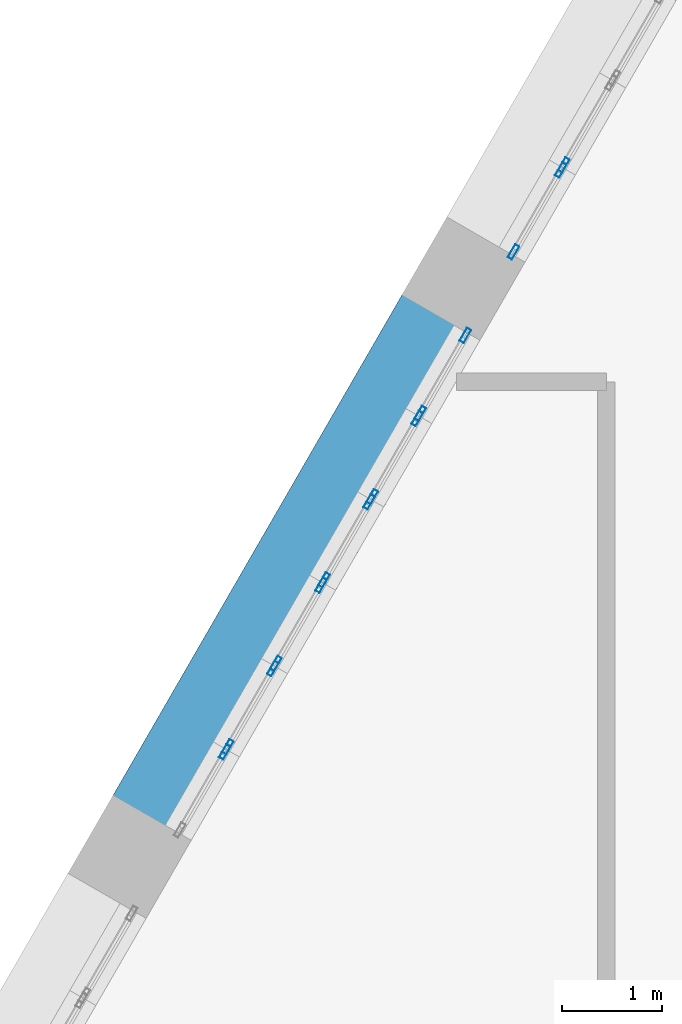
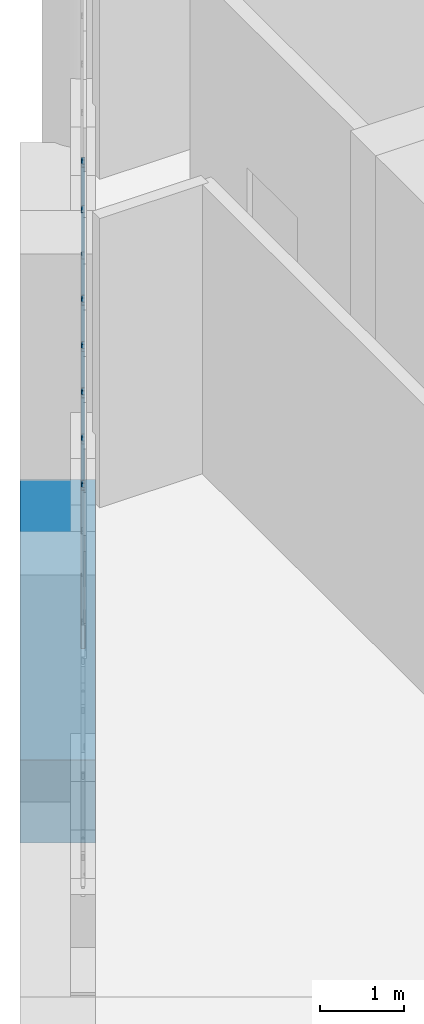
# One storey, part 6 of 23: 14 members, 1 beam, 8 elements without a shape of their own.
"""IFC4 building model written with IfcOpenShell, lengths in metres."""

from ifc_helpers import new_model, si_unit, direction, frame, origin, origin_2d, place, context, subcontext, project, spatial, rectangle, hollow_rectangle, extrude, material, material_profile, profile_set, type_object, element, aggregate, save


model = new_model("IFC4")

# Units and contexts
model_context = context("Model", 3, precision=1e-05, world=origin(), true_north=direction((0.0, 1.0)))
body_context = subcontext(model_context, "Body", "Model", "MODEL_VIEW")
ifc_project = project(units=[si_unit("LENGTHUNIT", "METRE"), si_unit("AREAUNIT", "SQUARE_METRE"), si_unit("VOLUMEUNIT", "CUBIC_METRE"), si_unit("PLANEANGLEUNIT", "RADIAN"), si_unit("MASSUNIT", "GRAM", prefix="KILO")], contexts=[model_context])

# Site, building, storey
site_placement = place(None, origin())
site = spatial("IfcSite", under=ifc_project, at=site_placement, CompositionType="ELEMENT")
building_placement = place(site_placement, origin())
building = spatial("IfcBuilding", under=site, at=building_placement, Name="Ostrander Bayou Hotel Tower", CompositionType="ELEMENT")
storey_placement = place(building_placement, frame((0.0, 0.0, 279.5)))
storey = spatial("IfcBuildingStorey", under=building, at=storey_placement, Name="L69", CompositionType="ELEMENT", Elevation=279.5)

# Curtain wall, member
ifc_material_1 = material(Name="Aluminium and clear glass", Category="aluminium")
curtain_wall_type = type_object("IfcCurtainWallType", Name="CW-CROWN glazed wall", PredefinedType="NOTDEFINED", material=ifc_material_1)
curtain_wall_1_placement = place(storey_placement, origin())
curtain_wall_1 = element("IfcCurtainWall", 1, at=curtain_wall_1_placement, inside=storey, type_object=curtain_wall_type, Name="CW-CROWN L69:NW-1-5", PredefinedType="NOTDEFINED")
ifc_material_2 = material(Name="Aluminium", Category="aluminium")
ifc_material_profile_1 = material_profile(ifc_material_2, hollow_rectangle(XDim=0.050048828125, YDim=0.14990234375, WallThickness=0.00390625, at=origin_2d()))
ifc_profile_set_1 = profile_set([ifc_material_profile_1], Name="Aluminium")
member_type = type_object("IfcMemberType", Name="CW-CR mullion 50 x 150 mm", PredefinedType="MULLION", material=ifc_profile_set_1)
member_1_placement = place(storey_placement, frame((-10.9248046875, 11.864501953125, 1.0), z_axis=(0.0, 0.0, 1.0), x_axis=(0.866001306597, -0.50004173523, 0.0)))
member_1 = element("IfcMember", 2, at=member_1_placement, type_object=member_type, Name="CW-CROWN mullion 2", PredefinedType="MULLION", context=body_context, shape_type="SweptSolid", body=[
    extrude(hollow_rectangle(XDim=0.050048828125, YDim=0.14990234375, WallThickness=0.00390625, at=origin_2d()), origin(), (0.0, 0.0, 1.0), 2.300048828125),
])
aggregate(curtain_wall_1, [member_1])

# Curtain wall, members
curtain_wall_2_placement = place(storey_placement, origin())
curtain_wall_2 = element("IfcCurtainWall", 3, at=curtain_wall_2_placement, inside=storey, type_object=curtain_wall_type, Name="CW-CROWN L69:NW-1-6", PredefinedType="NOTDEFINED")
member_2_placement = place(storey_placement, frame((-10.954833984375, 11.8125, 1.0), z_axis=(0.0, 0.0, 1.0), x_axis=(0.866026229865, -0.499998569184, 0.0)))
member_2 = element("IfcMember", 4, at=member_2_placement, type_object=member_type, Name="CW-CROWN mullion 1", PredefinedType="MULLION", context=body_context, shape_type="SweptSolid", body=[
    extrude(hollow_rectangle(XDim=0.050048828125, YDim=0.14990234375, WallThickness=0.00390625, at=origin_2d()), origin(), (0.0, 0.0, 1.0), 2.300048828125),
])
member_3_placement = place(storey_placement, frame((-11.426513671875, 10.995849609375, 1.0), z_axis=(0.0, 0.0, 1.0), x_axis=(0.866026229865, -0.499998569184, 0.0)))
member_3 = element("IfcMember", 5, at=member_3_placement, type_object=member_type, Name="CW-CROWN mullion 2", PredefinedType="MULLION", context=body_context, shape_type="SweptSolid", body=[
    extrude(hollow_rectangle(XDim=0.050048828125, YDim=0.14990234375, WallThickness=0.00390625, at=origin_2d()), origin(), (0.0, 0.0, 1.0), 2.300048828125),
])
aggregate(curtain_wall_2, [member_2, member_3])

curtain_wall_3_placement = place(storey_placement, origin())
curtain_wall_3 = element("IfcCurtainWall", 6, at=curtain_wall_3_placement, inside=storey, type_object=curtain_wall_type, Name="CW-CROWN L69:NW-2-1", PredefinedType="NOTDEFINED")
member_4_placement = place(storey_placement, frame((-11.906494140625, 10.164306640625, 1.0), z_axis=(0.0, 0.0, 1.0), x_axis=(0.866022491007, -0.500005045044, 0.0)))
member_4 = element("IfcMember", 7, at=member_4_placement, type_object=member_type, Name="CW-CROWN mullion 1", PredefinedType="MULLION", context=body_context, shape_type="SweptSolid", body=[
    extrude(hollow_rectangle(XDim=0.050048828125, YDim=0.14990234375, WallThickness=0.00390625, at=origin_2d()), origin(), (0.0, 0.0, 1.0), 2.300048828125),
])
member_5_placement = place(storey_placement, frame((-12.3564453125, 9.38525390625, 1.0), z_axis=(0.0, 0.0, 1.0), x_axis=(0.866022491007, -0.500005045044, 0.0)))
member_5 = element("IfcMember", 8, at=member_5_placement, type_object=member_type, Name="CW-CROWN mullion 2", PredefinedType="MULLION", context=body_context, shape_type="SweptSolid", body=[
    extrude(hollow_rectangle(XDim=0.050048828125, YDim=0.14990234375, WallThickness=0.00390625, at=origin_2d()), origin(), (0.0, 0.0, 1.0), 2.300048828125),
])
aggregate(curtain_wall_3, [member_4, member_5])

curtain_wall_4_placement = place(storey_placement, origin())
curtain_wall_4 = element("IfcCurtainWall", 9, at=curtain_wall_4_placement, inside=storey, type_object=curtain_wall_type, Name="CW-CROWN L69:NW-2-2", PredefinedType="NOTDEFINED")
member_6_placement = place(storey_placement, frame((-12.386474609375, 9.333251953125, 1.0), z_axis=(0.0, 0.0, 1.0), x_axis=(0.866022491007, -0.500005045044, 0.0)))
member_6 = element("IfcMember", 10, at=member_6_placement, type_object=member_type, Name="CW-CROWN mullion 1", PredefinedType="MULLION", context=body_context, shape_type="SweptSolid", body=[
    extrude(hollow_rectangle(XDim=0.050048828125, YDim=0.14990234375, WallThickness=0.00390625, at=origin_2d()), origin(), (0.0, 0.0, 1.0), 2.300048828125),
])
member_7_placement = place(storey_placement, frame((-12.836181640625, 8.553955078125, 1.0), z_axis=(0.0, 0.0, 1.0), x_axis=(0.866022491007, -0.500005045044, 0.0)))
member_7 = element("IfcMember", 11, at=member_7_placement, type_object=member_type, Name="CW-CROWN mullion 2", PredefinedType="MULLION", context=body_context, shape_type="SweptSolid", body=[
    extrude(hollow_rectangle(XDim=0.050048828125, YDim=0.14990234375, WallThickness=0.00390625, at=origin_2d()), origin(), (0.0, 0.0, 1.0), 2.300048828125),
])
aggregate(curtain_wall_4, [member_6, member_7])

curtain_wall_5_placement = place(storey_placement, origin())
curtain_wall_5 = element("IfcCurtainWall", 12, at=curtain_wall_5_placement, inside=storey, type_object=curtain_wall_type, Name="CW-CROWN L69:NW-2-3", PredefinedType="NOTDEFINED")
member_8_placement = place(storey_placement, frame((-12.8662109375, 8.501953125, 1.0), z_axis=(0.0, 0.0, 1.0), x_axis=(0.866022491007, -0.500005045044, 0.0)))
member_8 = element("IfcMember", 13, at=member_8_placement, type_object=member_type, Name="CW-CROWN mullion 1", PredefinedType="MULLION", context=body_context, shape_type="SweptSolid", body=[
    extrude(hollow_rectangle(XDim=0.050048828125, YDim=0.14990234375, WallThickness=0.00390625, at=origin_2d()), origin(), (0.0, 0.0, 1.0), 2.300048828125),
])
member_9_placement = place(storey_placement, frame((-13.316162109375, 7.722900390625, 1.0), z_axis=(0.0, 0.0, 1.0), x_axis=(0.866022491007, -0.500005045044, 0.0)))
member_9 = element("IfcMember", 14, at=member_9_placement, type_object=member_type, Name="CW-CROWN mullion 2", PredefinedType="MULLION", context=body_context, shape_type="SweptSolid", body=[
    extrude(hollow_rectangle(XDim=0.050048828125, YDim=0.14990234375, WallThickness=0.00390625, at=origin_2d()), origin(), (0.0, 0.0, 1.0), 2.300048828125),
])
aggregate(curtain_wall_5, [member_8, member_9])

curtain_wall_6_placement = place(storey_placement, origin())
curtain_wall_6 = element("IfcCurtainWall", 15, at=curtain_wall_6_placement, inside=storey, type_object=curtain_wall_type, Name="CW-CROWN L69:NW-2-4", PredefinedType="NOTDEFINED")
member_10_placement = place(storey_placement, frame((-13.34619140625, 7.6708984375, 1.0), z_axis=(0.0, 0.0, 1.0), x_axis=(0.866048535364, -0.499959932788, 0.0)))
member_10 = element("IfcMember", 16, at=member_10_placement, type_object=member_type, Name="CW-CROWN mullion 1", PredefinedType="MULLION", context=body_context, shape_type="SweptSolid", body=[
    extrude(hollow_rectangle(XDim=0.050048828125, YDim=0.14990234375, WallThickness=0.00390625, at=origin_2d()), origin(), (0.0, 0.0, 1.0), 2.300048828125),
])
member_11_placement = place(storey_placement, frame((-13.796142578125, 6.8916015625, 1.0), z_axis=(0.0, 0.0, 1.0), x_axis=(0.866048535364, -0.499959932788, 0.0)))
member_11 = element("IfcMember", 17, at=member_11_placement, type_object=member_type, Name="CW-CROWN mullion 2", PredefinedType="MULLION", context=body_context, shape_type="SweptSolid", body=[
    extrude(hollow_rectangle(XDim=0.050048828125, YDim=0.14990234375, WallThickness=0.00390625, at=origin_2d()), origin(), (0.0, 0.0, 1.0), 2.300048828125),
])
aggregate(curtain_wall_6, [member_10, member_11])

curtain_wall_7_placement = place(storey_placement, origin())
curtain_wall_7 = element("IfcCurtainWall", 18, at=curtain_wall_7_placement, inside=storey, type_object=curtain_wall_type, Name="CW-CROWN L69:NW-2-5", PredefinedType="NOTDEFINED")
member_12_placement = place(storey_placement, frame((-13.826171875, 6.839599609375, 1.0), z_axis=(0.0, 0.0, 1.0), x_axis=(0.866022491007, -0.500005045044, 0.0)))
member_12 = element("IfcMember", 19, at=member_12_placement, type_object=member_type, Name="CW-CROWN mullion 1", PredefinedType="MULLION", context=body_context, shape_type="SweptSolid", body=[
    extrude(hollow_rectangle(XDim=0.050048828125, YDim=0.14990234375, WallThickness=0.00390625, at=origin_2d()), origin(), (0.0, 0.0, 1.0), 2.300048828125),
])
member_13_placement = place(storey_placement, frame((-14.27587890625, 6.060302734375, 1.0), z_axis=(0.0, 0.0, 1.0), x_axis=(0.866022491007, -0.500005045044, 0.0)))
member_13 = element("IfcMember", 20, at=member_13_placement, type_object=member_type, Name="CW-CROWN mullion 2", PredefinedType="MULLION", context=body_context, shape_type="SweptSolid", body=[
    extrude(hollow_rectangle(XDim=0.050048828125, YDim=0.14990234375, WallThickness=0.00390625, at=origin_2d()), origin(), (0.0, 0.0, 1.0), 2.300048828125),
])
aggregate(curtain_wall_7, [member_12, member_13])

# Curtain wall, member
curtain_wall_8_placement = place(storey_placement, origin())
curtain_wall_8 = element("IfcCurtainWall", 21, at=curtain_wall_8_placement, inside=storey, type_object=curtain_wall_type, Name="CW-CROWN L69:NW-2-6", PredefinedType="NOTDEFINED")
member_14_placement = place(storey_placement, frame((-14.305908203125, 6.00830078125, 1.0), z_axis=(0.0, 0.0, 1.0), x_axis=(0.866022491007, -0.500005045044, 0.0)))
member_14 = element("IfcMember", 22, at=member_14_placement, type_object=member_type, Name="CW-CROWN mullion 1", PredefinedType="MULLION", context=body_context, shape_type="SweptSolid", body=[
    extrude(hollow_rectangle(XDim=0.050048828125, YDim=0.14990234375, WallThickness=0.00390625, at=origin_2d()), origin(), (0.0, 0.0, 1.0), 2.300048828125),
])
aggregate(curtain_wall_8, [member_14])

# Beam
ifc_material_3 = material(Name="Concrete f'c 60 MPa", Category="concrete")
ifc_material_profile_2 = material_profile(ifc_material_3, rectangle(XDim=0.89990234375, YDim=1.199951171875, at=origin_2d()))
ifc_profile_set_2 = profile_set([ifc_material_profile_2], Name="Concrete f'c 60 MPa")
beam_type = type_object("IfcBeamType", Name="SP4 spandrel beam 900 x 1200 mm f'c 60 MPa", PredefinedType="SPANDREL", material=ifc_profile_set_2)
beam_placement = place(storey_placement, frame((-12.13623046875, 10.366455078125, -0.60009765625), z_axis=(-0.499997265274, -0.866026982673, 0.0), x_axis=(0.866026982673, -0.499997265274, 0.0)))
element("IfcBeam", 23, at=beam_placement, inside=storey, type_object=beam_type, Name="SP4 L69 NW-2", PredefinedType="SPANDREL", context=body_context, shape_type="SweptSolid", body=[
    extrude(rectangle(XDim=0.89990234375, YDim=1.199951171875, at=origin_2d()), origin(), (0.0, 0.0, 1.0), 5.81884765625),
])

save(model, "model.ifc")
